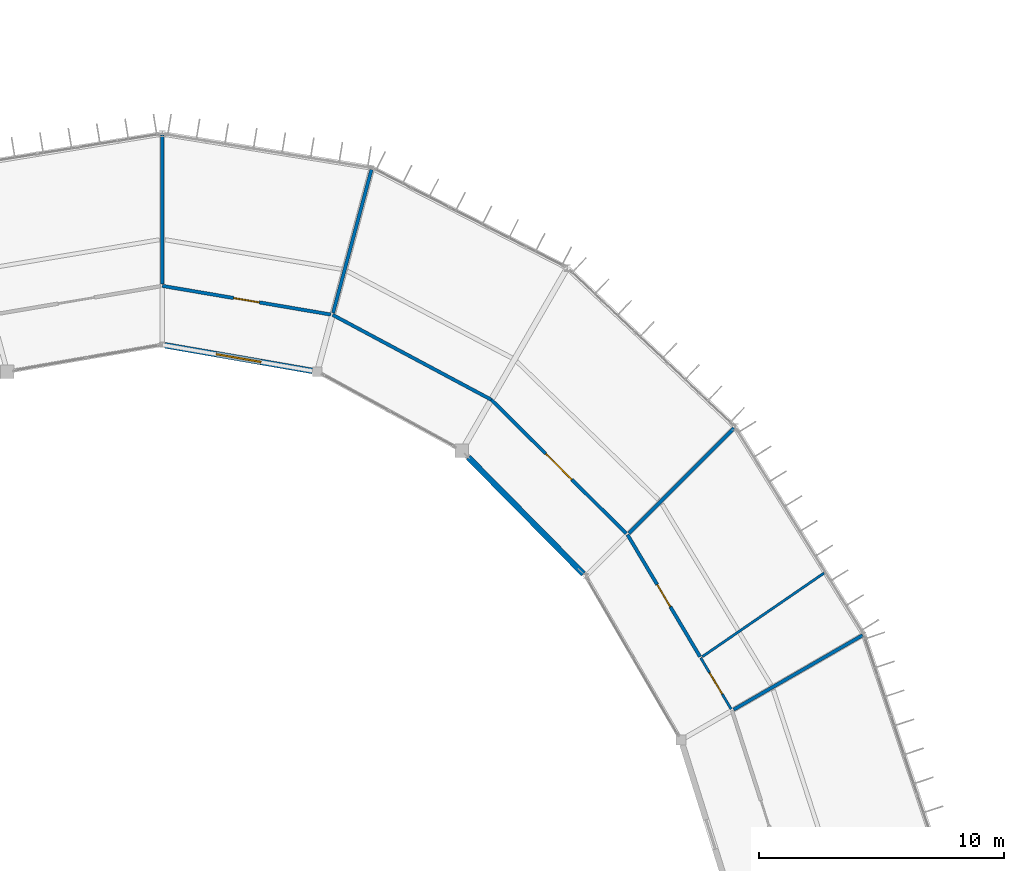
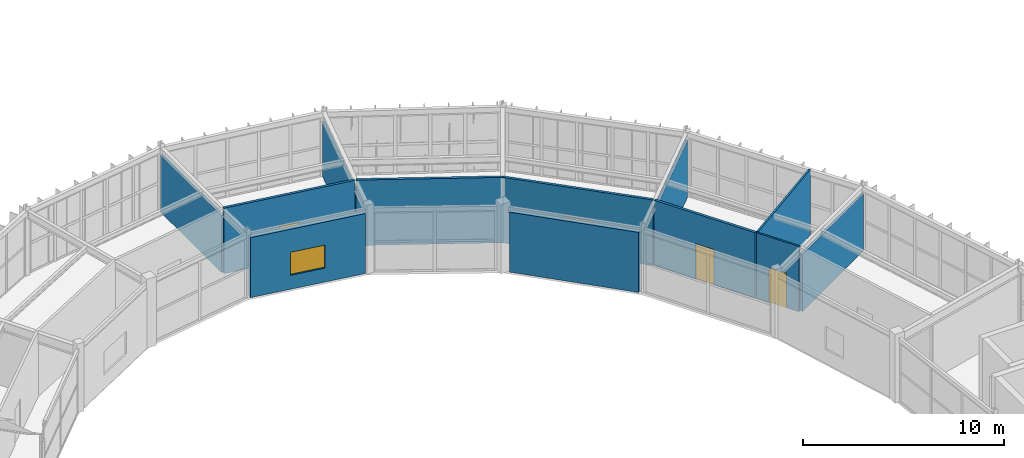
# One storey, part 121 of 134: 12 walls, 4 doors, 1 window, 5 openings.
"""IFC4 building model written with IfcOpenShell, lengths in metres."""

from ifc_helpers import new_model, si_unit, direction, frame, frame_2d, origin, place, context, subcontext, project, spatial, rectangle, extrude, material, layer, layer_set, type_object, element, fill, save


model = new_model("IFC4")

# Units and contexts
model_context = context("Model", 3, precision=1e-05, world=origin(), true_north=direction((0.0, 1.0)))
body_context = subcontext(model_context, "Body", "Model", "MODEL_VIEW")
ifc_project = project(units=[si_unit("LENGTHUNIT", "METRE"), si_unit("AREAUNIT", "SQUARE_METRE"), si_unit("VOLUMEUNIT", "CUBIC_METRE"), si_unit("PLANEANGLEUNIT", "RADIAN"), si_unit("MASSUNIT", "GRAM", prefix="KILO")], contexts=[model_context])

# Site, building, storey
site_placement = place(None, origin())
site = spatial("IfcSite", under=ifc_project, at=site_placement, CompositionType="ELEMENT")
building_placement = place(site_placement, origin())
building = spatial("IfcBuilding", under=site, at=building_placement, Name="Karori Crest Natural Sciences Institute", CompositionType="ELEMENT")
storey_placement = place(building_placement, frame((0.0, 0.0, 21.699951171875)))
storey = spatial("IfcBuildingStorey", under=building, at=storey_placement, Name="L05", CompositionType="ELEMENT", Elevation=21.699951171875)

# Wall
ifc_material_1 = material(Name="Laboratory acoustic drywall partition")
ifc_layer_1 = layer(ifc_material_1, 0.139892578125, Name="Laboratory acoustic drywall partition")
ifc_layer_set_1 = layer_set([ifc_layer_1], Name="Laboratory acoustic drywall partition")
wall_type_1 = type_object("IfcWallType", Name="IWT-07", PredefinedType="PARTITIONING", material=ifc_layer_set_1)
wall_1_placement = place(storey_placement, frame((89.6787109375, 67.239990234375, 0.0), z_axis=(0.0, 0.0, 1.0), x_axis=(0.866020543329, 0.500008418462, 0.0)))
element("IfcWall", 1, at=wall_1_placement, inside=storey, type_object=wall_type_1, Name="Partition wall IW-1369", PredefinedType="PARTITIONING", context=body_context, shape_type="SweptSolid", body=[
    extrude(rectangle(XDim=6.06005859375, YDim=0.139892578125, at=frame_2d((3.030029296875, 0.0))), origin(), (0.0, 0.0, 1.0), 3.470947265625),
])

# Wall, opening, door
wall_2_placement = place(storey_placement, frame((88.30517578125, 69.39453125, 0.0), z_axis=(0.0, 0.0, 1.0), x_axis=(-0.510896676259, 0.859642126811, 0.0)))
wall_2 = element("IfcWall", 2, at=wall_2_placement, inside=storey, type_object=wall_type_1, Name="Partition wall IW-1372", PredefinedType="PARTITIONING", context=body_context, shape_type="SweptSolid", body=[
    extrude(rectangle(XDim=5.783203125, YDim=0.139892578125, at=frame_2d((2.8916015625, 0.0))), origin(), (0.0, 0.0, 1.0), 3.97998046875),
])
opening_1_placement = place(wall_2_placement, frame((2.366455078125, 0.0, 0.0)))
opening_1 = element("IfcOpeningElement", 3, at=opening_1_placement, cuts=wall_2, Name="Opening ID-0434", PredefinedType="OPENING", context=body_context, shape_type="SweptSolid", body=[
    extrude(rectangle(XDim=1.050048828125, YDim=2.14990234375, at=frame_2d((0.52490234375, 1.074951171875))), frame((0.0, 0.080078125, 0.0), z_axis=(0.0, -1.0, 0.0), x_axis=(1.0, 0.0, 0.0)), (0.0, 0.0, 1.0), 0.159912109375),
])
ifc_material_2 = material(Name="Stainless steel 316 and fire-rated timber", Category="steel")
door_type_1 = type_object("IfcDoorType", Name="IDT-03", OperationType="NOTDEFINED", PredefinedType="DOOR", material=ifc_material_2)
door_1_placement = place(opening_1_placement, origin())
door_1 = element("IfcDoor", 4, at=door_1_placement, inside=storey, type_object=door_type_1, Name="Janitor and Consumables Store door ID-0434", OperationType="SINGLE_SWING_RIGHT", OverallHeight=2.14990234375, OverallWidth=1.050048828125, PredefinedType="DOOR", context=body_context, shape_type="SweptSolid", body=[
    extrude(rectangle(XDim=1.050048828125, YDim=2.14990234375, at=frame_2d((0.52490234375, 1.074951171875))), frame((0.0, 0.02490234375, 0.0), z_axis=(0.0, -1.0, 0.0), x_axis=(1.0, 0.0, 0.0)), (0.0, 0.0, 1.0), 0.050048828125),
])
fill(opening_1, door_1)

# Wall
wall_3_placement = place(storey_placement, frame((85.406982421875, 74.422607421875, 0.0), z_axis=(0.0, 0.0, 1.0), x_axis=(0.70712692467, 0.707086637129, 0.0)))
element("IfcWall", 5, at=wall_3_placement, inside=storey, type_object=wall_type_1, Name="Partition wall IW-1373", PredefinedType="PARTITIONING", context=body_context, shape_type="SweptSolid", body=[
    extrude(rectangle(XDim=6.06005859375, YDim=0.139892578125, at=frame_2d((3.030029296875, 0.0))), origin(), (0.0, 0.0, 1.0), 3.465087890625),
])

# Wall, opening, door
wall_4_placement = place(storey_placement, frame((85.29931640625, 74.41650390625, 0.0), z_axis=(0.0, 0.0, 1.0), x_axis=(-0.710410596589, 0.703787456732, 0.0)))
wall_4 = element("IfcWall", 6, at=wall_4_placement, inside=storey, type_object=wall_type_1, Name="Partition wall IW-1374", PredefinedType="PARTITIONING", context=body_context, shape_type="SweptSolid", body=[
    extrude(rectangle(XDim=7.740966796875, YDim=0.139892578125, at=frame_2d((3.87060546875, 0.0))), origin(), (0.0, 0.0, 1.0), 3.97998046875),
])
opening_2_placement = place(wall_4_placement, frame((3.12060546875, 0.0, 0.0)))
opening_2 = element("IfcOpeningElement", 7, at=opening_2_placement, cuts=wall_4, Name="Opening ID-0435", PredefinedType="OPENING", context=body_context, shape_type="SweptSolid", body=[
    extrude(rectangle(XDim=1.5, YDim=2.14990234375, at=frame_2d((0.75, 1.074951171875))), frame((0.0, 0.080078125, 0.0), z_axis=(0.0, -1.0, 0.0), x_axis=(1.0, 0.0, 0.0)), (0.0, 0.0, 1.0), 0.159912109375),
])
door_type_2 = type_object("IfcDoorType", Name="IDT-05", OperationType="DOUBLE_DOOR_SINGLE_SWING", PredefinedType="DOOR", material=ifc_material_2)
door_2_placement = place(opening_2_placement, origin())
door_2 = element("IfcDoor", 8, at=door_2_placement, inside=storey, type_object=door_type_2, Name="Analytical Geochemistry Laboratory door ID-0435", OperationType="DOUBLE_DOOR_SINGLE_SWING", OverallHeight=2.14990234375, OverallWidth=1.5, PredefinedType="DOOR", context=body_context, shape_type="SweptSolid", body=[
    extrude(rectangle(XDim=1.5, YDim=2.14990234375, at=frame_2d((0.75, 1.074951171875))), frame((0.0, 0.02490234375, 0.0), z_axis=(0.0, -1.0, 0.0), x_axis=(1.0, 0.0, 0.0)), (0.0, 0.0, 1.0), 0.050048828125),
])
fill(opening_2, door_2)

# Walls
wall_5_placement = place(storey_placement, frame((79.798095703125, 79.865478515625, 0.0), z_axis=(0.0, 0.0, 1.0), x_axis=(-0.881822986749, 0.471580555199, 0.0)))
element("IfcWall", 9, at=wall_5_placement, inside=storey, type_object=wall_type_1, Name="Partition wall IW-1375", PredefinedType="PARTITIONING", context=body_context, shape_type="SweptSolid", body=[
    extrude(rectangle(XDim=7.32763671875, YDim=0.139892578125, at=frame_2d((3.663818359375, 0.0))), origin(), (0.0, 0.0, 1.0), 3.97998046875),
])
wall_6_placement = place(storey_placement, frame((73.357177734375, 83.398193359375, 0.0), z_axis=(0.0, 0.0, 1.0), x_axis=(0.258805895167, 0.965929349708, 0.0)))
element("IfcWall", 10, at=wall_6_placement, inside=storey, type_object=wall_type_1, Name="Partition wall IW-1376", PredefinedType="PARTITIONING", context=body_context, shape_type="SweptSolid", body=[
    extrude(rectangle(XDim=6.06005859375, YDim=0.139892578125, at=frame_2d((3.030029296875, 0.0))), origin(), (0.0, 0.0, 1.0), 3.322998046875),
])

# Wall, opening, door
wall_7_placement = place(storey_placement, frame((73.26513671875, 83.3330078125, 0.0), z_axis=(0.0, 0.0, 1.0), x_axis=(-0.985858163623, 0.167581864229, 0.0)))
wall_7 = element("IfcWall", 11, at=wall_7_placement, inside=storey, type_object=wall_type_1, Name="Partition wall IW-1377", PredefinedType="PARTITIONING", context=body_context, shape_type="SweptSolid", body=[
    extrude(rectangle(XDim=6.963623046875, YDim=0.139892578125, at=frame_2d((3.48193359375, 0.0))), origin(), (0.0, 0.0, 1.0), 3.97998046875),
])
opening_3_placement = place(wall_7_placement, frame((2.956787109375, 0.0, 0.0)))
opening_3 = element("IfcOpeningElement", 12, at=opening_3_placement, cuts=wall_7, Name="Opening ID-0436", PredefinedType="OPENING", context=body_context, shape_type="SweptSolid", body=[
    extrude(rectangle(XDim=1.050048828125, YDim=2.14990234375, at=frame_2d((0.52490234375, 1.074951171875))), frame((0.0, 0.080078125, 0.0), z_axis=(0.0, -1.0, 0.0), x_axis=(1.0, 0.0, 0.0)), (0.0, 0.0, 1.0), 0.159912109375),
])
door_3_placement = place(opening_3_placement, origin())
door_3 = element("IfcDoor", 13, at=door_3_placement, inside=storey, type_object=door_type_1, Name="Molecular Ecology Wet Laboratory door ID-0436", OperationType="SINGLE_SWING_LEFT", OverallHeight=2.14990234375, OverallWidth=1.050048828125, PredefinedType="DOOR", context=body_context, shape_type="SweptSolid", body=[
    extrude(rectangle(XDim=1.050048828125, YDim=2.14990234375, at=frame_2d((0.52490234375, 1.074951171875))), frame((0.0, 0.02490234375, 0.0), z_axis=(0.0, -1.0, 0.0), x_axis=(1.0, 0.0, 0.0)), (0.0, 0.0, 1.0), 0.050048828125),
])
fill(opening_3, door_3)

# Wall
wall_8_placement = place(storey_placement, frame((66.39990234375, 84.580078125, 0.0), z_axis=(0.0, 0.0, 1.0), x_axis=(0.0, 1.0, 0.0)))
element("IfcWall", 14, at=wall_8_placement, inside=storey, type_object=wall_type_1, Name="Partition wall IW-1378", PredefinedType="PARTITIONING", context=body_context, shape_type="SweptSolid", body=[
    extrude(rectangle(XDim=6.059814453125, YDim=0.139892578125, at=frame_2d((3.02978515625, 0.0))), origin(), (0.0, 0.0, 1.0), 3.470947265625),
])

# Wall, opening, door
ifc_material_3 = material(Name="Washroom moisture-resistant partition")
ifc_layer_2 = layer(ifc_material_3, 0.10009765625, Name="Washroom moisture-resistant partition")
ifc_layer_set_2 = layer_set([ifc_layer_2], Name="Washroom moisture-resistant partition")
wall_type_2 = type_object("IfcWallType", Name="IWT-09", PredefinedType="PARTITIONING", material=ifc_layer_set_2)
wall_9_placement = place(storey_placement, frame((89.57275390625, 67.261962890625, 0.0), z_axis=(0.0, 0.0, 1.0), x_axis=(-0.510928867953, 0.859622994046, 0.0)))
wall_9 = element("IfcWall", 15, at=wall_9_placement, inside=storey, type_object=wall_type_2, Name="Partition wall IW-1370", PredefinedType="PARTITIONING", context=body_context, shape_type="SweptSolid", body=[
    extrude(rectangle(XDim=2.428955078125, YDim=0.10009765625, at=frame_2d((1.21435546875, 0.0))), origin(), (0.0, 0.0, 1.0), 3.97998046875),
])
opening_4_placement = place(wall_9_placement, frame((0.71435546875, 0.0, 0.0)))
opening_4 = element("IfcOpeningElement", 16, at=opening_4_placement, cuts=wall_9, Name="Opening ID-0433", PredefinedType="OPENING", context=body_context, shape_type="SweptSolid", body=[
    extrude(rectangle(XDim=1.0, YDim=2.10009765625, at=frame_2d((0.5, 1.050048828125))), frame((0.0, 0.06005859375, 0.0), z_axis=(0.0, -1.0, 0.0), x_axis=(1.0, 0.0, 0.0)), (0.0, 0.0, 1.0), 0.1201171875),
])
ifc_material_4 = material(Name="Anodised aluminium and acoustic timber", Category="wood")
door_type_3 = type_object("IfcDoorType", Name="IDT-09", OperationType="NOTDEFINED", PredefinedType="DOOR", material=ifc_material_4)
door_4_placement = place(opening_4_placement, origin())
door_4 = element("IfcDoor", 17, at=door_4_placement, inside=storey, type_object=door_type_3, Name="Accessible WC door ID-0433", OperationType="SINGLE_SWING_LEFT", OverallHeight=2.10009765625, OverallWidth=1.0, PredefinedType="DOOR", context=body_context, shape_type="SweptSolid", body=[
    extrude(rectangle(XDim=1.0, YDim=2.10009765625, at=frame_2d((0.5, 1.050048828125))), frame((0.0, 0.02490234375, 0.0), z_axis=(0.0, -1.0, 0.0), x_axis=(1.0, 0.0, 0.0)), (0.0, 0.0, 1.0), 0.050048828125),
])
fill(opening_4, door_4)

# Walls
wall_10_placement = place(storey_placement, frame((88.397705078125, 69.39501953125, 0.0), z_axis=(0.0, 0.0, 1.0), x_axis=(0.824271584206, 0.566194626847, 0.0)))
element("IfcWall", 18, at=wall_10_placement, inside=storey, type_object=wall_type_2, Name="Partition wall IW-1371", PredefinedType="PARTITIONING", context=body_context, shape_type="SweptSolid", body=[
    extrude(rectangle(XDim=6.015625, YDim=0.10009765625, at=frame_2d((3.0078125, 0.0))), origin(), (0.0, 0.0, 1.0), 3.97998046875),
])
ifc_material_5 = material(Name="Precast concrete 40 MPa", Category="concrete")
ifc_layer_3 = layer(ifc_material_5, 0.239990234375, Name="Precast concrete 40 MPa")
ifc_layer_set_3 = layer_set([ifc_layer_3], Name="Precast concrete 40 MPa")
wall_type_3 = type_object("IfcWallType", Name="WT-04", PredefinedType="SOLIDWALL", material=ifc_layer_set_3)
wall_11_placement = place(storey_placement, frame((83.55224609375, 72.771240234375, 0.0), z_axis=(0.0, 0.0, 1.0), x_axis=(-0.702659584396, 0.711526182551, 0.0)))
element("IfcWall", 19, at=wall_11_placement, inside=storey, type_object=wall_type_3, Name="Exterior wall EW-0089", PredefinedType="SOLIDWALL", context=body_context, shape_type="SweptSolid", body=[
    extrude(rectangle(XDim=6.663330078125, YDim=0.239990234375, at=frame_2d((3.33154296875, 0.0))), origin(), (0.0, 0.0, 1.0), 3.650146484375),
])

# Wall, opening, window
wall_12_placement = place(storey_placement, frame((72.51708984375, 81.037109375, 0.0), z_axis=(0.0, 0.0, 1.0), x_axis=(-0.985238151149, 0.171189326539, 0.0)))
wall_12 = element("IfcWall", 20, at=wall_12_placement, inside=storey, type_object=wall_type_3, Name="Exterior wall EW-0090", PredefinedType="SOLIDWALL", context=body_context, shape_type="SweptSolid", body=[
    extrude(rectangle(XDim=6.106689453125, YDim=0.239990234375, at=frame_2d((3.05322265625, 0.0))), origin(), (0.0, 0.0, 1.0), 3.650146484375),
])
opening_5_placement = place(wall_12_placement, frame((2.12841796875, 0.0, 0.85009765625)))
opening_5 = element("IfcOpeningElement", 21, at=opening_5_placement, cuts=wall_12, Name="Opening WN-0039", PredefinedType="OPENING", context=body_context, shape_type="SweptSolid", body=[
    extrude(rectangle(XDim=1.85009765625, YDim=1.39990234375, at=frame_2d((0.925048828125, 0.699951171875))), frame((0.0, 0.1298828125, 0.0), z_axis=(0.0, -1.0, 0.0), x_axis=(1.0, 0.0, 0.0)), (0.0, 0.0, 1.0), 0.260009765625),
])
ifc_material_6 = material(Name="Double low-E laminated glass", Category="glass")
window_type = type_object("IfcWindowType", Name="WNT-06", PartitioningType="SINGLE_PANEL", PredefinedType="WINDOW", material=ifc_material_6)
window_placement = place(opening_5_placement, origin())
window = element("IfcWindow", 22, at=window_placement, inside=storey, type_object=window_type, Name="Window WN-0039", OverallHeight=1.39990234375, OverallWidth=1.85009765625, PartitioningType="SINGLE_PANEL", PredefinedType="WINDOW", context=body_context, shape_type="SweptSolid", body=[
    extrude(rectangle(XDim=1.85009765625, YDim=1.39990234375, at=frame_2d((0.925048828125, 0.699951171875))), frame((0.0, 0.030029296875, 0.0), z_axis=(0.0, -1.0, 0.0), x_axis=(1.0, 0.0, 0.0)), (0.0, 0.0, 1.0), 0.06005859375),
])
fill(opening_5, window)

save(model, "model.ifc")
